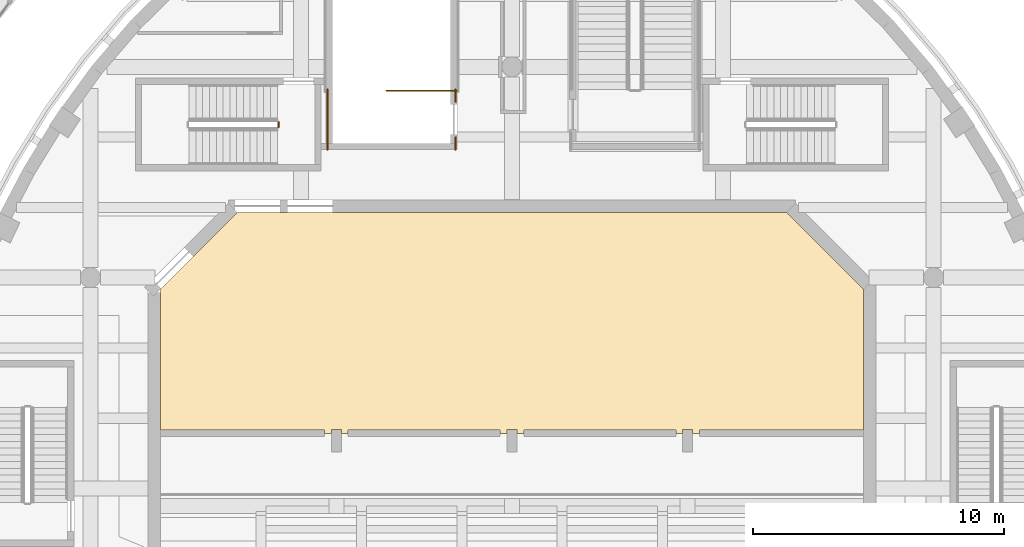
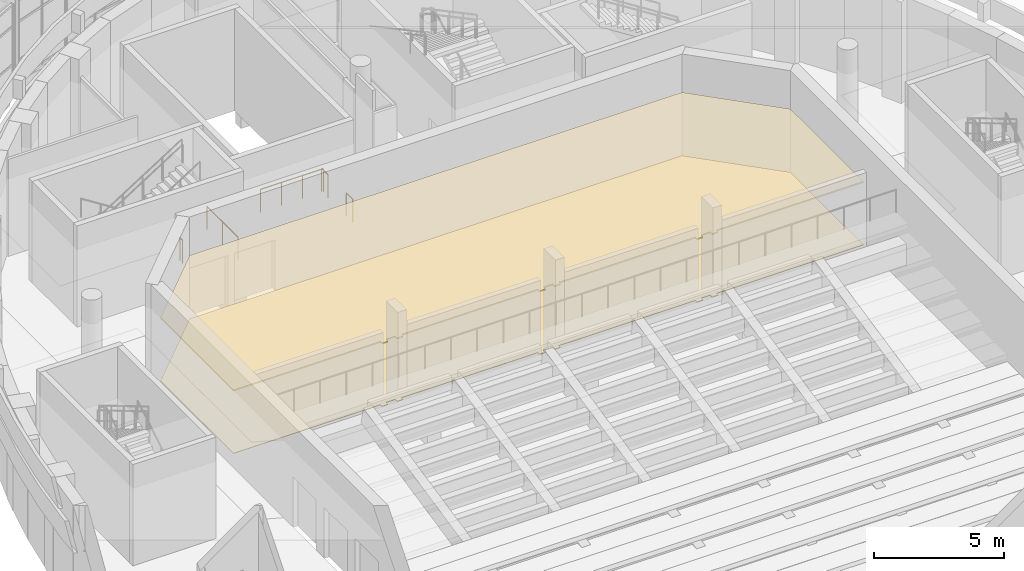
# One storey, part 110 of 119: 5 railings, 2 coverings.
"""IFC4 building model written with IfcOpenShell, lengths in metres."""

from ifc_helpers import new_model, si_unit, direction, frame, origin, origin_2d, place, context, subcontext, project, spatial, polyline, circle, outline, extrude, material, layer, layer_set, type_object, element, save


model = new_model("IFC4")

# Units and contexts
model_context = context("Model", 3, precision=1e-05, world=origin(), true_north=direction((0.0, 1.0)))
body_context = subcontext(model_context, "Body", "Model", "MODEL_VIEW")
ifc_project = project(units=[si_unit("LENGTHUNIT", "METRE"), si_unit("AREAUNIT", "SQUARE_METRE"), si_unit("VOLUMEUNIT", "CUBIC_METRE"), si_unit("PLANEANGLEUNIT", "RADIAN"), si_unit("MASSUNIT", "GRAM", prefix="KILO")], contexts=[model_context])

# Site, building, storey
site_placement = place(None, origin())
site = spatial("IfcSite", under=ifc_project, at=site_placement, CompositionType="ELEMENT")
building_placement = place(site_placement, origin())
building = spatial("IfcBuilding", under=site, at=building_placement, Name="Larchfold Concert Hall", CompositionType="ELEMENT")
storey_placement = place(building_placement, frame((0.0, 0.0, 4.800048828125)))
storey = spatial("IfcBuildingStorey", under=building, at=storey_placement, Name="L01", CompositionType="ELEMENT", Elevation=4.800048828125)

# Coverings
ifc_material_1 = material(Name="Acoustic timber lining", Category="wood")
ifc_layer_1 = layer(ifc_material_1, 0.06005859375)
ifc_layer_set_1 = layer_set([ifc_layer_1], Name="Acoustic timber lining")
covering_type_1 = type_object("IfcCoveringType", Name="Ceiling acoustic timber lining 60", PredefinedType="CEILING", material=ifc_layer_set_1)
covering_1_placement = place(storey_placement, frame((0.0, 0.0, 2.93994140625)))
element("IfcCovering", 1, at=covering_1_placement, inside=storey, type_object=covering_type_1, Name="Ceiling Concert Hall Under Balcony", PredefinedType="CEILING", context=body_context, shape_type="SweptSolid", body=[
    extrude(outline(polyline([(56.60009765625, 95.324951171875), (56.60009765625, 100.946533203125), (53.546630859375, 104.0), (31.653564453125, 104.0), (28.60009765625, 100.946533203125), (28.60009765625, 95.324951171875), (35.130126953125, 95.324951171875), (35.130126953125, 95.199951171875), (35.400146484375, 95.199951171875), (35.400146484375, 95.349853515625), (35.800048828125, 95.349853515625), (35.800048828125, 95.199951171875), (36.070068359375, 95.199951171875), (36.070068359375, 95.324951171875), (42.130126953125, 95.324951171875), (42.130126953125, 95.199951171875), (42.400146484375, 95.199951171875), (42.400146484375, 95.349853515625), (42.800048828125, 95.349853515625), (42.800048828125, 95.199951171875), (43.070068359375, 95.199951171875), (43.070068359375, 95.324951171875), (49.130126953125, 95.324951171875), (49.130126953125, 95.199951171875), (49.400146484375, 95.199951171875), (49.400146484375, 95.349853515625), (49.800048828125, 95.349853515625), (49.800048828125, 95.199951171875), (50.070068359375, 95.199951171875), (50.070068359375, 95.324951171875), (56.60009765625, 95.324951171875)])), origin(), (0.0, 0.0, 1.0), 0.06005859375),
])
ifc_material_2 = material(Name="Oak boards on battens")
ifc_layer_2 = layer(ifc_material_2, 0.02490234375)
ifc_layer_set_2 = layer_set([ifc_layer_2], Name="Oak boards on battens")
covering_type_2 = type_object("IfcCoveringType", Name="Floor finish timber boards 25", PredefinedType="FLOORING", material=ifc_layer_set_2)
covering_2_placement = place(storey_placement, origin())
element("IfcCovering", 2, at=covering_2_placement, inside=storey, type_object=covering_type_2, Name="Floor finish Concert Hall Under Balcony", PredefinedType="FLOORING", context=body_context, shape_type="SweptSolid", body=[
    extrude(outline(polyline([(56.60009765625, 95.324951171875), (56.60009765625, 100.946533203125), (53.546630859375, 104.0), (31.653564453125, 104.0), (28.60009765625, 100.946533203125), (28.60009765625, 95.324951171875), (35.130126953125, 95.324951171875), (35.130126953125, 95.199951171875), (35.400146484375, 95.199951171875), (35.400146484375, 95.349853515625), (35.800048828125, 95.349853515625), (35.800048828125, 95.199951171875), (36.070068359375, 95.199951171875), (36.070068359375, 95.324951171875), (42.130126953125, 95.324951171875), (42.130126953125, 95.199951171875), (42.400146484375, 95.199951171875), (42.400146484375, 95.349853515625), (42.800048828125, 95.349853515625), (42.800048828125, 95.199951171875), (43.070068359375, 95.199951171875), (43.070068359375, 95.324951171875), (49.130126953125, 95.324951171875), (49.130126953125, 95.199951171875), (49.400146484375, 95.199951171875), (49.400146484375, 95.349853515625), (49.800048828125, 95.349853515625), (49.800048828125, 95.199951171875), (50.070068359375, 95.199951171875), (50.070068359375, 95.324951171875), (56.60009765625, 95.324951171875)])), origin(), (0.0, 0.0, 1.0), 0.02490234375),
])

# Railings
ifc_material_3 = material(Name="Stainless steel balustrade", Category="steel")
railing_type = type_object("IfcRailingType", Name="Stair guard 1100", PredefinedType="GUARDRAIL", material=ifc_material_3)
railing_1_placement = place(storey_placement, frame((33.300048828125, 107.60009765625, 0.0)))
element("IfcRailing", 3, at=railing_1_placement, inside=storey, type_object=railing_type, Name="Guard GR0014", PredefinedType="GUARDRAIL", context=body_context, shape_type="SweptSolid", body=[
    extrude(circle(Radius=0.02392578125, at=origin_2d()), frame((0.0, 0.0, 1.076171875), z_axis=(0.0, -1.0, 0.0), x_axis=(1.0, 0.0, 0.0)), (0.0, 0.0, 1.0), 0.199951171875),
    extrude(circle(Radius=0.02099609375, at=origin_2d()), origin(), (0.0, 0.0, 1.0), 1.052001953125),
    extrude(circle(Radius=0.02099609375, at=origin_2d()), frame((0.0, -0.199951171875, 0.0)), (0.0, 0.0, 1.0), 1.052001953125),
])
railing_2_placement = place(storey_placement, frame((40.39990234375, 108.85009765625, 0.0)))
element("IfcRailing", 4, at=railing_2_placement, inside=storey, type_object=railing_type, Name="Guard GR0101", PredefinedType="GUARDRAIL", context=body_context, shape_type="SweptSolid", body=[
    extrude(circle(Radius=0.02392578125, at=origin_2d()), frame((0.0, 0.0, 1.076171875), z_axis=(-1.0, 0.0, 0.0), x_axis=(0.0, -1.0, 0.0)), (0.0, 0.0, 1.0), 2.800048828125),
    extrude(circle(Radius=0.02099609375, at=origin_2d()), origin(), (0.0, 0.0, 1.0), 1.052001953125),
    extrude(circle(Radius=0.02099609375, at=origin_2d()), frame((-0.933349609375, 0.0, 0.0)), (0.0, 0.0, 1.0), 1.052001953125),
    extrude(circle(Radius=0.02099609375, at=origin_2d()), frame((-1.86669921875, 0.0, 0.0)), (0.0, 0.0, 1.0), 1.052001953125),
    extrude(circle(Radius=0.02099609375, at=origin_2d()), frame((-2.800048828125, 0.0, 0.0)), (0.0, 0.0, 1.0), 1.052001953125),
])
railing_3_placement = place(storey_placement, frame((40.349853515625, 106.5, 0.0)))
element("IfcRailing", 5, at=railing_3_placement, inside=storey, type_object=railing_type, Name="Guard GR0105", PredefinedType="GUARDRAIL", context=body_context, shape_type="SweptSolid", body=[
    extrude(circle(Radius=0.02392578125, at=origin_2d()), frame((0.0, 0.0, 1.076171875), z_axis=(0.0, 1.0, 0.0), x_axis=(-1.0, 0.0, 0.0)), (0.0, 0.0, 1.0), 0.5),
    extrude(circle(Radius=0.02099609375, at=origin_2d()), origin(), (0.0, 0.0, 1.0), 1.052001953125),
    extrude(circle(Radius=0.02099609375, at=origin_2d()), frame((0.0, 0.5, 0.0)), (0.0, 0.0, 1.0), 1.052001953125),
])
railing_4_placement = place(storey_placement, frame((35.25, 106.5, 0.0)))
element("IfcRailing", 6, at=railing_4_placement, inside=storey, type_object=railing_type, Name="Guard GR0106", PredefinedType="GUARDRAIL", context=body_context, shape_type="SweptSolid", body=[
    extrude(circle(Radius=0.02392578125, at=origin_2d()), frame((0.0, 0.0, 1.076171875), z_axis=(0.0, 1.0, 0.0), x_axis=(-1.0, 0.0, 0.0)), (0.0, 0.0, 1.0), 2.39990234375),
    extrude(circle(Radius=0.02099609375, at=origin_2d()), origin(), (0.0, 0.0, 1.0), 1.052001953125),
    extrude(circle(Radius=0.02099609375, at=origin_2d()), frame((0.0, 1.199951171875, 0.0)), (0.0, 0.0, 1.0), 1.052001953125),
    extrude(circle(Radius=0.02099609375, at=origin_2d()), frame((0.0, 2.39990234375, 0.0)), (0.0, 0.0, 1.0), 1.052001953125),
])
railing_5_placement = place(storey_placement, frame((40.349853515625, 108.400146484375, 0.0)))
element("IfcRailing", 7, at=railing_5_placement, inside=storey, type_object=railing_type, Name="Guard GR0105a", PredefinedType="GUARDRAIL", context=body_context, shape_type="SweptSolid", body=[
    extrude(circle(Radius=0.02392578125, at=origin_2d()), frame((0.0, 0.0, 1.076171875), z_axis=(0.0, 1.0, 0.0), x_axis=(-1.0, 0.0, 0.0)), (0.0, 0.0, 1.0), 0.499755859375),
    extrude(circle(Radius=0.02099609375, at=origin_2d()), origin(), (0.0, 0.0, 1.0), 1.052001953125),
    extrude(circle(Radius=0.02099609375, at=origin_2d()), frame((0.0, 0.499755859375, 0.0)), (0.0, 0.0, 1.0), 1.052001953125),
])

save(model, "model.ifc")
